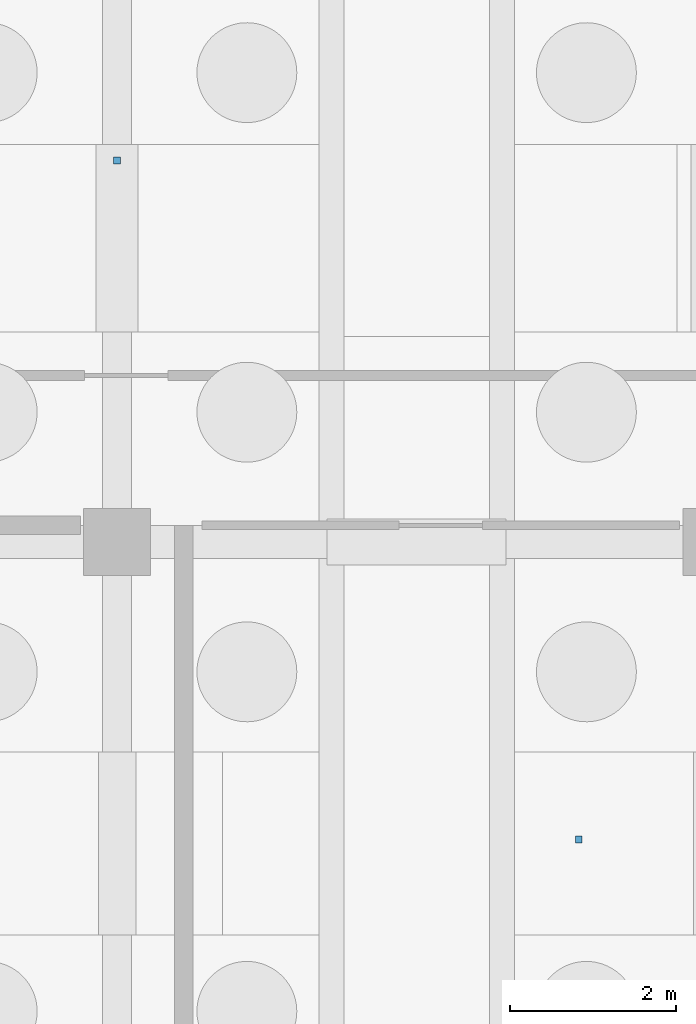
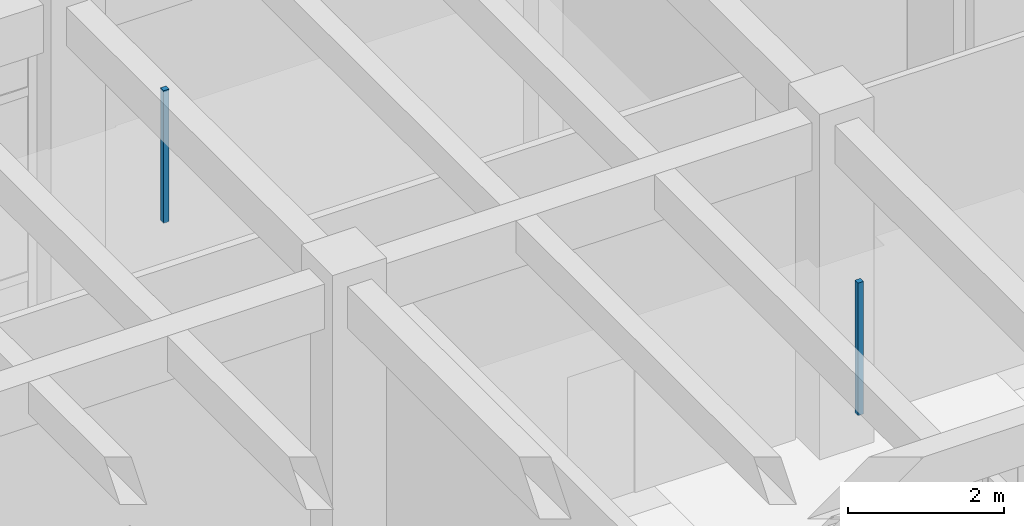
# One storey, part 77 of 93: 2 discrete accessories.
"""IFC4 building model written with IfcOpenShell, lengths in metres."""

from ifc_helpers import new_model, si_unit, direction, frame, origin, origin_2d, place, context, subcontext, project, spatial, rectangle, extrude, material, type_object, element, save


model = new_model("IFC4")

# Units and contexts
model_context = context("Model", 3, precision=1e-05, world=origin(), true_north=direction((0.0, 1.0)))
body_context = subcontext(model_context, "Body", "Model", "MODEL_VIEW")
ifc_project = project(units=[si_unit("LENGTHUNIT", "METRE"), si_unit("AREAUNIT", "SQUARE_METRE"), si_unit("VOLUMEUNIT", "CUBIC_METRE"), si_unit("PLANEANGLEUNIT", "RADIAN"), si_unit("MASSUNIT", "GRAM", prefix="KILO")], contexts=[model_context])

# Site, building, storey
site_placement = place(None, origin())
site = spatial("IfcSite", under=ifc_project, at=site_placement, CompositionType="ELEMENT")
building_placement = place(site_placement, origin())
building = spatial("IfcBuilding", under=site, at=building_placement, Name="Koriwan Promenade Central Fire Station", CompositionType="ELEMENT")
storey_placement = place(building_placement, origin())
storey = spatial("IfcBuildingStorey", under=building, at=storey_placement, Name="L00", CompositionType="ELEMENT", Elevation=0.0)

# Discrete accessories
ifc_material = material(Name="Steel ASTM A572 Grade 50", Category="steel")
discrete_accessory_type = type_object("IfcDiscreteAccessoryType", Name="CeilingHanger_Bracket", PredefinedType="BRACKET", material=ifc_material)
for number, where, z_axis, x_axis, name in (
    (1, (156.75, 3.625, 3.0947265625), (0.0, 0.0, 1.0), (1.0, 0.0, 0.0), "Fire Prevention Inspection Counter Office acoustic ceiling seismic hanger"),
    (2, (151.199951171875, 11.784912109375, 3.0947265625), (0.0, 0.0, 1.0), (1.0, 0.0, 0.0), "Civic Reception and Credentials Office acoustic ceiling seismic hanger"),
):
    element("IfcDiscreteAccessory", number, at=place(storey_placement, frame(where, z_axis=z_axis, x_axis=x_axis)), inside=storey, type_object=discrete_accessory_type, Name=name, PredefinedType="BRACKET", context=body_context, shape_type="SweptSolid", body=[
        extrude(rectangle(XDim=0.080078125, YDim=0.080078125, at=origin_2d()), origin(), (0.0, 0.0, 1.0), 2.070068359375),
    ])

save(model, "model.ifc")
